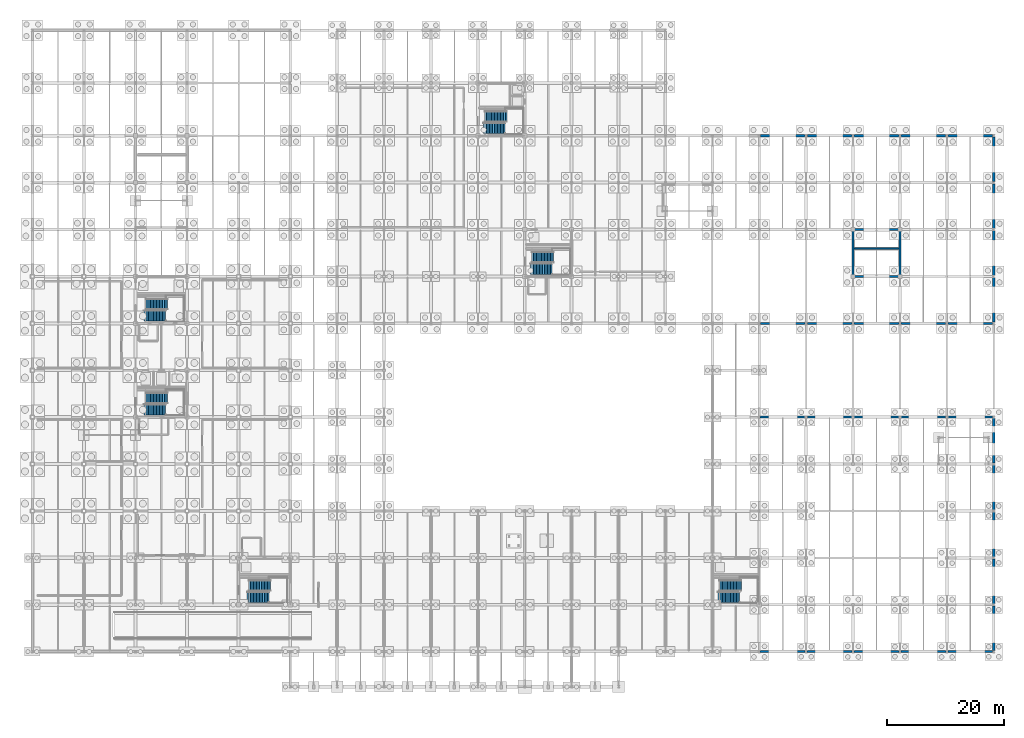
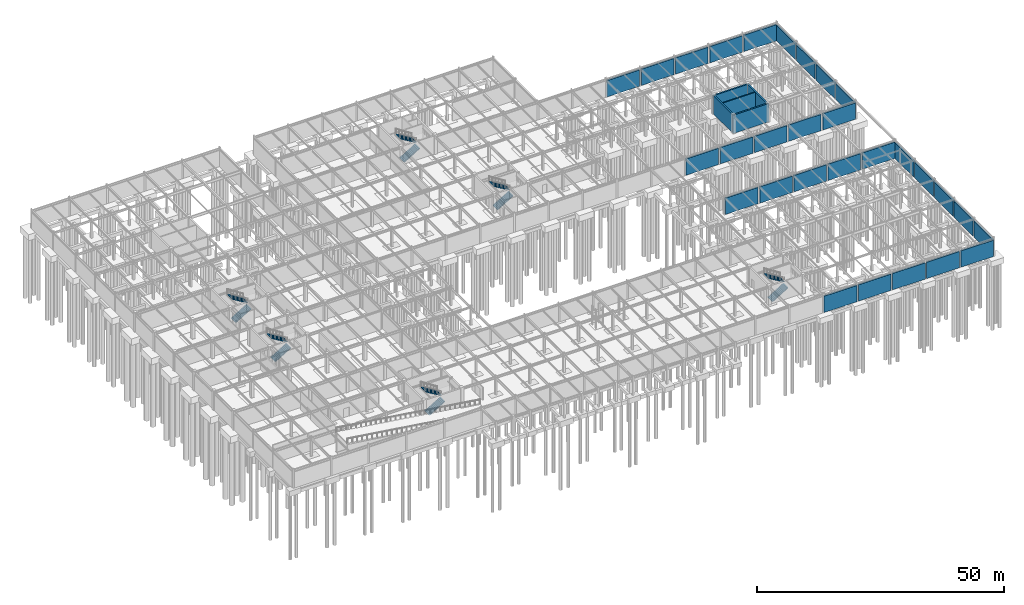
# One storey, part 65 of 72: 34 walls, 12 stair flights, 6 elements without a shape of their own.
"""IFC4 building model written with IfcOpenShell, lengths in metres."""

from ifc_helpers import new_model, si_unit, direction, frame, frame_2d, origin, place, context, subcontext, project, spatial, polyline, rectangle, outline, extrude, material, layer, layer_set, type_object, element, aggregate, save


model = new_model("IFC4")

# Units and contexts
model_context = context("Model", 3, precision=1e-05, world=origin(), true_north=direction((0.0, 1.0)))
body_context = subcontext(model_context, "Body", "Model", "MODEL_VIEW")
ifc_project = project(units=[si_unit("LENGTHUNIT", "METRE"), si_unit("AREAUNIT", "SQUARE_METRE"), si_unit("VOLUMEUNIT", "CUBIC_METRE"), si_unit("PLANEANGLEUNIT", "RADIAN"), si_unit("MASSUNIT", "GRAM", prefix="KILO")], contexts=[model_context])

# Site, building, storey
site_placement = place(None, origin())
site = spatial("IfcSite", under=ifc_project, at=site_placement, CompositionType="ELEMENT")
building_placement = place(site_placement, origin())
building = spatial("IfcBuilding", under=site, at=building_placement, Name="Zhaolan Boulevard Law Courts", CompositionType="ELEMENT")
storey_placement = place(building_placement, frame((0.0, 0.0, -4.800048828125)))
storey = spatial("IfcBuildingStorey", under=building, at=storey_placement, Name="B1", CompositionType="ELEMENT", Elevation=-4.800048828125)

# Walls
ifc_material_1 = material(Name="Concrete C50", Category="concrete")
ifc_layer_1 = layer(ifc_material_1, 0.35009765625)
ifc_layer_set_1 = layer_set([ifc_layer_1])
wall_type_1 = type_object("IfcWallType", Name="CORE SHEAR WALL 350", PredefinedType="SHEAR", material=ifc_layer_set_1)
for number, where, z_axis, x_axis, name in (
    (1, (139.824951171875, 70.0, 0.0), (0.0, 0.0, 1.0), (1.0, 0.0, 0.0), "Core Shear Wall CW-T2-B1S"),
    (2, (148.175048828125, 78.0, 0.0), (0.0, 0.0, 1.0), (-1.0, 0.0, 0.0), "Core Shear Wall CW-T2-B1N"),
):
    element("IfcWall", number, at=place(storey_placement, frame(where, z_axis=z_axis, x_axis=x_axis)), inside=storey, type_object=wall_type_1, Name=name, PredefinedType="SHEAR", context=body_context, shape_type="SweptSolid", body=[
        extrude(rectangle(XDim=8.35009765625, YDim=0.35009765625, at=frame_2d((4.175048828125, 0.0))), origin(), (0.0, 0.0, 1.0), 4.52001953125),
    ])
for number, where, z_axis, x_axis, name in (
    (3, (140.0, 70.175048828125, 0.0), (0.0, 0.0, 1.0), (0.0, 1.0, 0.0), "Core Shear Wall CW-T2-B1W"),
    (4, (148.0, 70.175048828125, 0.0), (0.0, 0.0, 1.0), (0.0, 1.0, 0.0), "Core Shear Wall CW-T2-B1E"),
):
    element("IfcWall", number, at=place(storey_placement, frame(where, z_axis=z_axis, x_axis=x_axis)), inside=storey, type_object=wall_type_1, Name=name, PredefinedType="SHEAR", context=body_context, shape_type="SweptSolid", body=[
        extrude(rectangle(XDim=7.64990234375, YDim=0.35009765625, at=frame_2d((3.824951171875, 0.0))), origin(), (0.0, 0.0, 1.0), 4.52001953125),
    ])
ifc_material_2 = material(Name="Concrete C40", Category="concrete")
ifc_layer_2 = layer(ifc_material_2, 0.360107421875)
ifc_layer_set_2 = layer_set([ifc_layer_2])
wall_type_2 = type_object("IfcWallType", Name="EXT WALL RETAINING360", PredefinedType="USERDEFINED", material=ifc_layer_set_2)
for number, where, z_axis, x_axis, name in (
    (5, (124.1708984375, 6.0, 0.0), (0.0, 0.0, 1.0), (1.0, 0.0, 0.0), "Exterior Wall EW-B1-034"),
    (6, (132.1708984375, 6.0, 0.0), (0.0, 0.0, 1.0), (1.0, 0.0, 0.0), "Exterior Wall EW-B1-035"),
    (7, (140.1708984375, 6.0, 0.0), (0.0, 0.0, 1.0), (1.0, 0.0, 0.0), "Exterior Wall EW-B1-036"),
    (8, (148.1708984375, 6.0, 0.0), (0.0, 0.0, 1.0), (1.0, 0.0, 0.0), "Exterior Wall EW-B1-037"),
    (9, (156.1708984375, 6.0, 0.0), (0.0, 0.0, 1.0), (1.0, 0.0, 0.0), "Exterior Wall EW-B1-038"),
):
    element("IfcWall", number, at=place(storey_placement, frame(where, z_axis=z_axis, x_axis=x_axis)), inside=storey, type_object=wall_type_2, Name=name, ObjectType="RETAININGWALL", PredefinedType="USERDEFINED", context=body_context, shape_type="SweptSolid", body=[
        extrude(rectangle(XDim=7.658203125, YDim=0.360107421875, at=frame_2d((3.8291015625, 0.0))), origin(), (0.0, 0.0, 1.0), 4.04296875),
    ])
wall_1_placement = place(storey_placement, frame((131.803955078125, 46.0, 0.0), z_axis=(0.0, 0.0, 1.0), x_axis=(-1.0, 0.0, 0.0)))
element("IfcWall", 10, at=wall_1_placement, inside=storey, type_object=wall_type_2, Name="Exterior Wall EW-B1-039", ObjectType="RETAININGWALL", PredefinedType="USERDEFINED", context=body_context, shape_type="SweptSolid", body=[
    extrude(rectangle(XDim=7.633056640625, YDim=0.360107421875, at=frame_2d((3.81640625, 0.0))), origin(), (0.0, 0.0, 1.0), 4.04296875),
])
for number, where, z_axis, x_axis, name in (
    (11, (139.803955078125, 46.0, 0.0), (0.0, 0.0, 1.0), (-1.0, 0.0, 0.0), "Exterior Wall EW-B1-040"),
    (12, (147.803955078125, 46.0, 0.0), (0.0, 0.0, 1.0), (-1.0, 0.0, 0.0), "Exterior Wall EW-B1-041"),
    (13, (155.803955078125, 46.0, 0.0), (0.0, 0.0, 1.0), (-1.0, 0.0, 0.0), "Exterior Wall EW-B1-042"),
):
    element("IfcWall", number, at=place(storey_placement, frame(where, z_axis=z_axis, x_axis=x_axis)), inside=storey, type_object=wall_type_2, Name=name, ObjectType="RETAININGWALL", PredefinedType="USERDEFINED", context=body_context, shape_type="SweptSolid", body=[
        extrude(rectangle(XDim=7.60791015625, YDim=0.360107421875, at=frame_2d((3.803955078125, 0.0))), origin(), (0.0, 0.0, 1.0), 4.04296875),
    ])
wall_2_placement = place(storey_placement, frame((163.8291015625, 46.0, 0.0), z_axis=(0.0, 0.0, 1.0), x_axis=(-1.0, 0.0, 0.0)))
element("IfcWall", 14, at=wall_2_placement, inside=storey, type_object=wall_type_2, Name="Exterior Wall EW-B1-043", ObjectType="RETAININGWALL", PredefinedType="USERDEFINED", context=body_context, shape_type="SweptSolid", body=[
    extrude(rectangle(XDim=7.633056640625, YDim=0.360107421875, at=frame_2d((3.81640625, 0.0))), origin(), (0.0, 0.0, 1.0), 4.04296875),
])
for number, where, z_axis, x_axis, name in (
    (15, (164.0, 6.1708984375, 0.0), (0.0, 0.0, 1.0), (0.0, 1.0, 0.0), "Exterior Wall EW-B1-044"),
    (16, (164.0, 14.1708984375, 0.0), (0.0, 0.0, 1.0), (0.0, 1.0, 0.0), "Exterior Wall EW-B1-045"),
    (17, (164.0, 22.1708984375, 0.0), (0.0, 0.0, 1.0), (0.0, 1.0, 0.0), "Exterior Wall EW-B1-046"),
    (18, (164.0, 30.1708984375, 0.0), (0.0, 0.0, 1.0), (0.0, 1.0, 0.0), "Exterior Wall EW-B1-047"),
    (19, (164.0, 38.1708984375, 0.0), (0.0, 0.0, 1.0), (0.0, 1.0, 0.0), "Exterior Wall EW-B1-048"),
):
    element("IfcWall", number, at=place(storey_placement, frame(where, z_axis=z_axis, x_axis=x_axis)), inside=storey, type_object=wall_type_2, Name=name, ObjectType="RETAININGWALL", PredefinedType="USERDEFINED", context=body_context, shape_type="SweptSolid", body=[
        extrude(rectangle(XDim=7.658203125, YDim=0.360107421875, at=frame_2d((3.8291015625, 0.0))), origin(), (0.0, 0.0, 1.0), 3.883056640625),
    ])
for number, where, z_axis, x_axis, name in (
    (20, (124.196044921875, 62.0, 0.0), (0.0, 0.0, 1.0), (1.0, 0.0, 0.0), "Exterior Wall EW-B1-083"),
    (21, (132.196044921875, 62.0, 0.0), (0.0, 0.0, 1.0), (1.0, 0.0, 0.0), "Exterior Wall EW-B1-084"),
    (22, (140.196044921875, 62.0, 0.0), (0.0, 0.0, 1.0), (1.0, 0.0, 0.0), "Exterior Wall EW-B1-085"),
    (23, (148.196044921875, 62.0, 0.0), (0.0, 0.0, 1.0), (1.0, 0.0, 0.0), "Exterior Wall EW-B1-086"),
    (24, (156.196044921875, 62.0, 0.0), (0.0, 0.0, 1.0), (1.0, 0.0, 0.0), "Exterior Wall EW-B1-087"),
    (25, (131.803955078125, 94.0, 0.0), (0.0, 0.0, 1.0), (-1.0, 0.0, 0.0), "Exterior Wall EW-B1-096"),
    (26, (139.803955078125, 94.0, 0.0), (0.0, 0.0, 1.0), (-1.0, 0.0, 0.0), "Exterior Wall EW-B1-097"),
    (27, (147.803955078125, 94.0, 0.0), (0.0, 0.0, 1.0), (-1.0, 0.0, 0.0), "Exterior Wall EW-B1-098"),
    (28, (155.803955078125, 94.0, 0.0), (0.0, 0.0, 1.0), (-1.0, 0.0, 0.0), "Exterior Wall EW-B1-099"),
    (29, (163.803955078125, 94.0, 0.0), (0.0, 0.0, 1.0), (-1.0, 0.0, 0.0), "Exterior Wall EW-B1-100"),
):
    element("IfcWall", number, at=place(storey_placement, frame(where, z_axis=z_axis, x_axis=x_axis)), inside=storey, type_object=wall_type_2, Name=name, ObjectType="RETAININGWALL", PredefinedType="USERDEFINED", context=body_context, shape_type="SweptSolid", body=[
        extrude(rectangle(XDim=7.60791015625, YDim=0.360107421875, at=frame_2d((3.803955078125, 0.0))), origin(), (0.0, 0.0, 1.0), 4.04296875),
    ])
for number, where, z_axis, x_axis, name in (
    (30, (164.0, 62.196044921875, 0.0), (0.0, 0.0, 1.0), (0.0, 1.0, 0.0), "Exterior Wall EW-B1-105"),
    (31, (164.0, 70.196044921875, 0.0), (0.0, 0.0, 1.0), (0.0, 1.0, 0.0), "Exterior Wall EW-B1-106"),
    (32, (164.0, 78.196044921875, 0.0), (0.0, 0.0, 1.0), (0.0, 1.0, 0.0), "Exterior Wall EW-B1-107"),
    (33, (164.0, 86.196044921875, 0.0), (0.0, 0.0, 1.0), (0.0, 1.0, 0.0), "Exterior Wall EW-B1-108"),
):
    element("IfcWall", number, at=place(storey_placement, frame(where, z_axis=z_axis, x_axis=x_axis)), inside=storey, type_object=wall_type_2, Name=name, ObjectType="RETAININGWALL", PredefinedType="USERDEFINED", context=body_context, shape_type="SweptSolid", body=[
        extrude(rectangle(XDim=7.60791015625, YDim=0.360107421875, at=frame_2d((3.803955078125, 0.0))), origin(), (0.0, 0.0, 1.0), 3.883056640625),
    ])
ifc_material_3 = material(Name="Concrete C50", Category="concrete")
ifc_layer_3 = layer(ifc_material_3, 0.239990234375)
ifc_layer_set_3 = layer_set([ifc_layer_3])
wall_type_3 = type_object("IfcWallType", Name="STAIR WELL WALL 240", PredefinedType="SHEAR", material=ifc_layer_set_3)
wall_3_placement = place(storey_placement, frame((140.175048828125, 74.75, 0.0), z_axis=(0.0, 0.0, 1.0), x_axis=(1.0, 0.0, 0.0)))
element("IfcWall", 34, at=wall_3_placement, inside=storey, type_object=wall_type_3, Name="Stairwell Divider Shear Wall ST09-B1N", PredefinedType="SHEAR", context=body_context, shape_type="SweptSolid", body=[
    extrude(rectangle(XDim=7.64990234375, YDim=0.239990234375, at=frame_2d((3.824951171875, 0.0))), origin(), (0.0, 0.0, 1.0), 4.52001953125),
])

# Stair, stair flights
ifc_material_4 = material(Name="Concrete C40", Category="concrete")
stair_type = type_object("IfcStairType", Name="HALF TURN STAIR 48 A", PredefinedType="HALF_TURN_STAIR", material=ifc_material_4)
stair_1_placement = place(storey_placement, origin())
stair_1 = element("IfcStair", 35, at=stair_1_placement, inside=storey, type_object=stair_type, Name="Stair ST01-B1", PredefinedType="HALF_TURN_STAIR")
ifc_material_5 = material(Name="Concrete C40", Category="concrete")
stair_flight_type = type_object("IfcStairFlightType", Name="STAIR FLIGHT 48 A", PredefinedType="STRAIGHT", material=ifc_material_5)
stair_flight_1_placement = place(storey_placement, frame((19.050048828125, 47.304931640625, 0.0), z_axis=(0.0, 0.0, 1.0), x_axis=(1.0, 0.0, 0.0)))
stair_flight_1 = element("IfcStairFlight", 36, at=stair_flight_1_placement, type_object=stair_flight_type, Name="Stair Flight ST01-B1-F1", NumberOfRisers=15, NumberOfTreads=14, PredefinedType="STRAIGHT", RiserHeight=0.16, TreadLength=0.265, context=body_context, shape_type="SweptSolid", body=[
    extrude(outline(polyline([(0.0, 0.0), (0.0, 0.159912109375), (0.264892578125, 0.159912109375), (0.264892578125, 0.320068359375), (0.530029296875, 0.320068359375), (0.530029296875, 0.47998046875), (0.794921875, 0.47998046875), (0.794921875, 0.639892578125), (1.06005859375, 0.639892578125), (1.06005859375, 0.800048828125), (1.324951171875, 0.800048828125), (1.324951171875, 0.9599609375), (1.590087890625, 0.9599609375), (1.590087890625, 1.1201171875), (1.85498046875, 1.1201171875), (1.85498046875, 1.280029296875), (2.1201171875, 1.280029296875), (2.1201171875, 1.43994140625), (2.385009765625, 1.43994140625), (2.385009765625, 1.60009765625), (2.64990234375, 1.60009765625), (2.64990234375, 1.760009765625), (2.9150390625, 1.760009765625), (2.9150390625, 1.919921875), (3.179931640625, 1.919921875), (3.179931640625, 2.080078125), (3.445068359375, 2.080078125), (3.445068359375, 2.239990234375), (3.7099609375, 2.239990234375), (3.7099609375, 2.39990234375), (3.7099609375, 2.05322265625), (0.309326171875, 0.0), (0.0, 0.0)])), frame((0.0, 0.925048828125, 0.0), z_axis=(0.0, -1.0, 0.0), x_axis=(1.0, 0.0, 0.0)), (0.0, 0.0, 1.0), 1.85009765625),
])
stair_flight_2_placement = place(storey_placement, frame((23.044921875, 49.2548828125, 2.400146484375), z_axis=(0.0, 0.0, 1.0), x_axis=(-1.0, 0.0, 0.0)))
stair_flight_2 = element("IfcStairFlight", 37, at=stair_flight_2_placement, type_object=stair_flight_type, Name="Stair Flight ST01-B1-F2", NumberOfRisers=15, NumberOfTreads=14, PredefinedType="STRAIGHT", RiserHeight=0.16, TreadLength=0.265, context=body_context, shape_type="SweptSolid", body=[
    extrude(outline(polyline([(0.0, 0.0), (0.0, 0.159912109375), (0.264892578125, 0.159912109375), (0.264892578125, 0.320068359375), (0.530029296875, 0.320068359375), (0.530029296875, 0.47998046875), (0.794921875, 0.47998046875), (0.794921875, 0.639892578125), (1.06005859375, 0.639892578125), (1.06005859375, 0.800048828125), (1.324951171875, 0.800048828125), (1.324951171875, 0.9599609375), (1.590087890625, 0.9599609375), (1.590087890625, 1.1201171875), (1.85498046875, 1.1201171875), (1.85498046875, 1.280029296875), (2.1201171875, 1.280029296875), (2.1201171875, 1.43994140625), (2.385009765625, 1.43994140625), (2.385009765625, 1.60009765625), (2.64990234375, 1.60009765625), (2.64990234375, 1.760009765625), (2.9150390625, 1.760009765625), (2.9150390625, 1.919921875), (3.179931640625, 1.919921875), (3.179931640625, 2.080078125), (3.445068359375, 2.080078125), (3.445068359375, 2.239990234375), (3.7099609375, 2.239990234375), (3.7099609375, 2.39990234375), (3.7099609375, 2.05322265625), (0.309326171875, 0.0), (0.0, 0.0)])), frame((0.0, 0.925048828125, 0.0), z_axis=(0.0, -1.0, 0.0), x_axis=(1.0, 0.0, 0.0)), (0.0, 0.0, 1.0), 1.85009765625),
])
aggregate(stair_1, [stair_flight_1, stair_flight_2])

stair_2_placement = place(storey_placement, origin())
stair_2 = element("IfcStair", 38, at=stair_2_placement, inside=storey, type_object=stair_type, Name="Stair ST02-B1", PredefinedType="HALF_TURN_STAIR")
stair_flight_3_placement = place(storey_placement, frame((19.050048828125, 63.304931640625, 0.0), z_axis=(0.0, 0.0, 1.0), x_axis=(1.0, 0.0, 0.0)))
stair_flight_3 = element("IfcStairFlight", 39, at=stair_flight_3_placement, type_object=stair_flight_type, Name="Stair Flight ST02-B1-F1", NumberOfRisers=15, NumberOfTreads=14, PredefinedType="STRAIGHT", RiserHeight=0.16, TreadLength=0.265, context=body_context, shape_type="SweptSolid", body=[
    extrude(outline(polyline([(0.0, 0.0), (0.0, 0.159912109375), (0.264892578125, 0.159912109375), (0.264892578125, 0.320068359375), (0.530029296875, 0.320068359375), (0.530029296875, 0.47998046875), (0.794921875, 0.47998046875), (0.794921875, 0.639892578125), (1.06005859375, 0.639892578125), (1.06005859375, 0.800048828125), (1.324951171875, 0.800048828125), (1.324951171875, 0.9599609375), (1.590087890625, 0.9599609375), (1.590087890625, 1.1201171875), (1.85498046875, 1.1201171875), (1.85498046875, 1.280029296875), (2.1201171875, 1.280029296875), (2.1201171875, 1.43994140625), (2.385009765625, 1.43994140625), (2.385009765625, 1.60009765625), (2.64990234375, 1.60009765625), (2.64990234375, 1.760009765625), (2.9150390625, 1.760009765625), (2.9150390625, 1.919921875), (3.179931640625, 1.919921875), (3.179931640625, 2.080078125), (3.445068359375, 2.080078125), (3.445068359375, 2.239990234375), (3.7099609375, 2.239990234375), (3.7099609375, 2.39990234375), (3.7099609375, 2.05322265625), (0.309326171875, 0.0), (0.0, 0.0)])), frame((0.0, 0.925048828125, 0.0), z_axis=(0.0, -1.0, 0.0), x_axis=(1.0, 0.0, 0.0)), (0.0, 0.0, 1.0), 1.85009765625),
])
stair_flight_4_placement = place(storey_placement, frame((23.044921875, 65.2548828125, 2.400146484375), z_axis=(0.0, 0.0, 1.0), x_axis=(-1.0, 0.0, 0.0)))
stair_flight_4 = element("IfcStairFlight", 40, at=stair_flight_4_placement, type_object=stair_flight_type, Name="Stair Flight ST02-B1-F2", NumberOfRisers=15, NumberOfTreads=14, PredefinedType="STRAIGHT", RiserHeight=0.16, TreadLength=0.265, context=body_context, shape_type="SweptSolid", body=[
    extrude(outline(polyline([(0.0, 0.0), (0.0, 0.159912109375), (0.264892578125, 0.159912109375), (0.264892578125, 0.320068359375), (0.530029296875, 0.320068359375), (0.530029296875, 0.47998046875), (0.794921875, 0.47998046875), (0.794921875, 0.639892578125), (1.06005859375, 0.639892578125), (1.06005859375, 0.800048828125), (1.324951171875, 0.800048828125), (1.324951171875, 0.9599609375), (1.590087890625, 0.9599609375), (1.590087890625, 1.1201171875), (1.85498046875, 1.1201171875), (1.85498046875, 1.280029296875), (2.1201171875, 1.280029296875), (2.1201171875, 1.43994140625), (2.385009765625, 1.43994140625), (2.385009765625, 1.60009765625), (2.64990234375, 1.60009765625), (2.64990234375, 1.760009765625), (2.9150390625, 1.760009765625), (2.9150390625, 1.919921875), (3.179931640625, 1.919921875), (3.179931640625, 2.080078125), (3.445068359375, 2.080078125), (3.445068359375, 2.239990234375), (3.7099609375, 2.239990234375), (3.7099609375, 2.39990234375), (3.7099609375, 2.05322265625), (0.309326171875, 0.0), (0.0, 0.0)])), frame((0.0, 0.925048828125, 0.0), z_axis=(0.0, -1.0, 0.0), x_axis=(1.0, 0.0, 0.0)), (0.0, 0.0, 1.0), 1.85009765625),
])
aggregate(stair_2, [stair_flight_3, stair_flight_4])

stair_3_placement = place(storey_placement, origin())
stair_3 = element("IfcStair", 41, at=stair_3_placement, inside=storey, type_object=stair_type, Name="Stair ST04-B1", PredefinedType="HALF_TURN_STAIR")
stair_flight_5_placement = place(storey_placement, frame((36.64990234375, 15.304931640625, 0.0), z_axis=(0.0, 0.0, 1.0), x_axis=(1.0, 0.0, 0.0)))
stair_flight_5 = element("IfcStairFlight", 42, at=stair_flight_5_placement, type_object=stair_flight_type, Name="Stair Flight ST04-B1-F1", NumberOfRisers=15, NumberOfTreads=14, PredefinedType="STRAIGHT", RiserHeight=0.16, TreadLength=0.265, context=body_context, shape_type="SweptSolid", body=[
    extrude(outline(polyline([(0.0, 0.0), (0.0, 0.159912109375), (0.264892578125, 0.159912109375), (0.264892578125, 0.320068359375), (0.530029296875, 0.320068359375), (0.530029296875, 0.47998046875), (0.794921875, 0.47998046875), (0.794921875, 0.639892578125), (1.06005859375, 0.639892578125), (1.06005859375, 0.800048828125), (1.324951171875, 0.800048828125), (1.324951171875, 0.9599609375), (1.590087890625, 0.9599609375), (1.590087890625, 1.1201171875), (1.85498046875, 1.1201171875), (1.85498046875, 1.280029296875), (2.1201171875, 1.280029296875), (2.1201171875, 1.43994140625), (2.385009765625, 1.43994140625), (2.385009765625, 1.60009765625), (2.64990234375, 1.60009765625), (2.64990234375, 1.760009765625), (2.9150390625, 1.760009765625), (2.9150390625, 1.919921875), (3.179931640625, 1.919921875), (3.179931640625, 2.080078125), (3.445068359375, 2.080078125), (3.445068359375, 2.239990234375), (3.7099609375, 2.239990234375), (3.7099609375, 2.39990234375), (3.7099609375, 2.05322265625), (0.309326171875, 0.0), (0.0, 0.0)])), frame((0.0, 0.925048828125, 0.0), z_axis=(0.0, -1.0, 0.0), x_axis=(1.0, 0.0, 0.0)), (0.0, 0.0, 1.0), 1.85009765625),
])
stair_flight_6_placement = place(storey_placement, frame((40.64501953125, 17.2548828125, 2.400146484375), z_axis=(0.0, 0.0, 1.0), x_axis=(-1.0, 0.0, 0.0)))
stair_flight_6 = element("IfcStairFlight", 43, at=stair_flight_6_placement, type_object=stair_flight_type, Name="Stair Flight ST04-B1-F2", NumberOfRisers=15, NumberOfTreads=14, PredefinedType="STRAIGHT", RiserHeight=0.16, TreadLength=0.265, context=body_context, shape_type="SweptSolid", body=[
    extrude(outline(polyline([(0.0, 0.0), (0.0, 0.159912109375), (0.264892578125, 0.159912109375), (0.264892578125, 0.320068359375), (0.530029296875, 0.320068359375), (0.530029296875, 0.47998046875), (0.794921875, 0.47998046875), (0.794921875, 0.639892578125), (1.06005859375, 0.639892578125), (1.06005859375, 0.800048828125), (1.324951171875, 0.800048828125), (1.324951171875, 0.9599609375), (1.590087890625, 0.9599609375), (1.590087890625, 1.1201171875), (1.85498046875, 1.1201171875), (1.85498046875, 1.280029296875), (2.1201171875, 1.280029296875), (2.1201171875, 1.43994140625), (2.385009765625, 1.43994140625), (2.385009765625, 1.60009765625), (2.64990234375, 1.60009765625), (2.64990234375, 1.760009765625), (2.9150390625, 1.760009765625), (2.9150390625, 1.919921875), (3.179931640625, 1.919921875), (3.179931640625, 2.080078125), (3.445068359375, 2.080078125), (3.445068359375, 2.239990234375), (3.7099609375, 2.239990234375), (3.7099609375, 2.39990234375), (3.7099609375, 2.05322265625), (0.309326171875, 0.0), (0.0, 0.0)])), frame((0.0, 0.925048828125, 0.0), z_axis=(0.0, -1.0, 0.0), x_axis=(1.0, 0.0, 0.0)), (0.0, 0.0, 1.0), 1.85009765625),
])
aggregate(stair_3, [stair_flight_5, stair_flight_6])

stair_4_placement = place(storey_placement, origin())
stair_4 = element("IfcStair", 44, at=stair_4_placement, inside=storey, type_object=stair_type, Name="Stair ST05-B1", PredefinedType="HALF_TURN_STAIR")
stair_flight_7_placement = place(storey_placement, frame((116.949951171875, 15.304931640625, 0.0), z_axis=(0.0, 0.0, 1.0), x_axis=(1.0, 0.0, 0.0)))
stair_flight_7 = element("IfcStairFlight", 45, at=stair_flight_7_placement, type_object=stair_flight_type, Name="Stair Flight ST05-B1-F1", NumberOfRisers=15, NumberOfTreads=14, PredefinedType="STRAIGHT", RiserHeight=0.16, TreadLength=0.265, context=body_context, shape_type="SweptSolid", body=[
    extrude(outline(polyline([(0.0, 0.0), (0.0, 0.159912109375), (0.264892578125, 0.159912109375), (0.264892578125, 0.320068359375), (0.530029296875, 0.320068359375), (0.530029296875, 0.47998046875), (0.794921875, 0.47998046875), (0.794921875, 0.639892578125), (1.06005859375, 0.639892578125), (1.06005859375, 0.800048828125), (1.324951171875, 0.800048828125), (1.324951171875, 0.9599609375), (1.590087890625, 0.9599609375), (1.590087890625, 1.1201171875), (1.85498046875, 1.1201171875), (1.85498046875, 1.280029296875), (2.1201171875, 1.280029296875), (2.1201171875, 1.43994140625), (2.385009765625, 1.43994140625), (2.385009765625, 1.60009765625), (2.64990234375, 1.60009765625), (2.64990234375, 1.760009765625), (2.9150390625, 1.760009765625), (2.9150390625, 1.919921875), (3.179931640625, 1.919921875), (3.179931640625, 2.080078125), (3.445068359375, 2.080078125), (3.445068359375, 2.239990234375), (3.7099609375, 2.239990234375), (3.7099609375, 2.39990234375), (3.7099609375, 2.05322265625), (0.309326171875, 0.0), (0.0, 0.0)])), frame((0.0, 0.925048828125, 0.0), z_axis=(0.0, -1.0, 0.0), x_axis=(1.0, 0.0, 0.0)), (0.0, 0.0, 1.0), 1.85009765625),
])
stair_flight_8_placement = place(storey_placement, frame((120.945068359375, 17.2548828125, 2.400146484375), z_axis=(0.0, 0.0, 1.0), x_axis=(-1.0, 0.0, 0.0)))
stair_flight_8 = element("IfcStairFlight", 46, at=stair_flight_8_placement, type_object=stair_flight_type, Name="Stair Flight ST05-B1-F2", NumberOfRisers=15, NumberOfTreads=14, PredefinedType="STRAIGHT", RiserHeight=0.16, TreadLength=0.265, context=body_context, shape_type="SweptSolid", body=[
    extrude(outline(polyline([(0.0, 0.0), (0.0, 0.159912109375), (0.264892578125, 0.159912109375), (0.264892578125, 0.320068359375), (0.530029296875, 0.320068359375), (0.530029296875, 0.47998046875), (0.794921875, 0.47998046875), (0.794921875, 0.639892578125), (1.06005859375, 0.639892578125), (1.06005859375, 0.800048828125), (1.324951171875, 0.800048828125), (1.324951171875, 0.9599609375), (1.590087890625, 0.9599609375), (1.590087890625, 1.1201171875), (1.85498046875, 1.1201171875), (1.85498046875, 1.280029296875), (2.1201171875, 1.280029296875), (2.1201171875, 1.43994140625), (2.385009765625, 1.43994140625), (2.385009765625, 1.60009765625), (2.64990234375, 1.60009765625), (2.64990234375, 1.760009765625), (2.9150390625, 1.760009765625), (2.9150390625, 1.919921875), (3.179931640625, 1.919921875), (3.179931640625, 2.080078125), (3.445068359375, 2.080078125), (3.445068359375, 2.239990234375), (3.7099609375, 2.239990234375), (3.7099609375, 2.39990234375), (3.7099609375, 2.05322265625), (0.309326171875, 0.0), (0.0, 0.0)])), frame((0.0, 0.925048828125, 0.0), z_axis=(0.0, -1.0, 0.0), x_axis=(1.0, 0.0, 0.0)), (0.0, 0.0, 1.0), 1.85009765625),
])
aggregate(stair_4, [stair_flight_7, stair_flight_8])

stair_5_placement = place(storey_placement, origin())
stair_5 = element("IfcStair", 47, at=stair_5_placement, inside=storey, type_object=stair_type, Name="Stair ST08-B1", PredefinedType="HALF_TURN_STAIR")
stair_flight_9_placement = place(storey_placement, frame((84.949951171875, 71.304931640625, 0.0), z_axis=(0.0, 0.0, 1.0), x_axis=(1.0, 0.0, 0.0)))
stair_flight_9 = element("IfcStairFlight", 48, at=stair_flight_9_placement, type_object=stair_flight_type, Name="Stair Flight ST08-B1-F1", NumberOfRisers=15, NumberOfTreads=14, PredefinedType="STRAIGHT", RiserHeight=0.16, TreadLength=0.265, context=body_context, shape_type="SweptSolid", body=[
    extrude(outline(polyline([(0.0, 0.0), (0.0, 0.159912109375), (0.264892578125, 0.159912109375), (0.264892578125, 0.320068359375), (0.530029296875, 0.320068359375), (0.530029296875, 0.47998046875), (0.794921875, 0.47998046875), (0.794921875, 0.639892578125), (1.06005859375, 0.639892578125), (1.06005859375, 0.800048828125), (1.324951171875, 0.800048828125), (1.324951171875, 0.9599609375), (1.590087890625, 0.9599609375), (1.590087890625, 1.1201171875), (1.85498046875, 1.1201171875), (1.85498046875, 1.280029296875), (2.1201171875, 1.280029296875), (2.1201171875, 1.43994140625), (2.385009765625, 1.43994140625), (2.385009765625, 1.60009765625), (2.64990234375, 1.60009765625), (2.64990234375, 1.760009765625), (2.9150390625, 1.760009765625), (2.9150390625, 1.919921875), (3.179931640625, 1.919921875), (3.179931640625, 2.080078125), (3.445068359375, 2.080078125), (3.445068359375, 2.239990234375), (3.7099609375, 2.239990234375), (3.7099609375, 2.39990234375), (3.7099609375, 2.05322265625), (0.309326171875, 0.0), (0.0, 0.0)])), frame((0.0, 0.925048828125, 0.0), z_axis=(0.0, -1.0, 0.0), x_axis=(1.0, 0.0, 0.0)), (0.0, 0.0, 1.0), 1.85009765625),
])
stair_flight_10_placement = place(storey_placement, frame((88.945068359375, 73.2548828125, 2.400146484375), z_axis=(0.0, 0.0, 1.0), x_axis=(-1.0, 0.0, 0.0)))
stair_flight_10 = element("IfcStairFlight", 49, at=stair_flight_10_placement, type_object=stair_flight_type, Name="Stair Flight ST08-B1-F2", NumberOfRisers=15, NumberOfTreads=14, PredefinedType="STRAIGHT", RiserHeight=0.16, TreadLength=0.265, context=body_context, shape_type="SweptSolid", body=[
    extrude(outline(polyline([(0.0, 0.0), (0.0, 0.159912109375), (0.264892578125, 0.159912109375), (0.264892578125, 0.320068359375), (0.530029296875, 0.320068359375), (0.530029296875, 0.47998046875), (0.794921875, 0.47998046875), (0.794921875, 0.639892578125), (1.06005859375, 0.639892578125), (1.06005859375, 0.800048828125), (1.324951171875, 0.800048828125), (1.324951171875, 0.9599609375), (1.590087890625, 0.9599609375), (1.590087890625, 1.1201171875), (1.85498046875, 1.1201171875), (1.85498046875, 1.280029296875), (2.1201171875, 1.280029296875), (2.1201171875, 1.43994140625), (2.385009765625, 1.43994140625), (2.385009765625, 1.60009765625), (2.64990234375, 1.60009765625), (2.64990234375, 1.760009765625), (2.9150390625, 1.760009765625), (2.9150390625, 1.919921875), (3.179931640625, 1.919921875), (3.179931640625, 2.080078125), (3.445068359375, 2.080078125), (3.445068359375, 2.239990234375), (3.7099609375, 2.239990234375), (3.7099609375, 2.39990234375), (3.7099609375, 2.05322265625), (0.309326171875, 0.0), (0.0, 0.0)])), frame((0.0, 0.925048828125, 0.0), z_axis=(0.0, -1.0, 0.0), x_axis=(1.0, 0.0, 0.0)), (0.0, 0.0, 1.0), 1.85009765625),
])
aggregate(stair_5, [stair_flight_9, stair_flight_10])

stair_6_placement = place(storey_placement, origin())
stair_6 = element("IfcStair", 50, at=stair_6_placement, inside=storey, type_object=stair_type, Name="Stair ST11-B1", PredefinedType="HALF_TURN_STAIR")
stair_flight_11_placement = place(storey_placement, frame((76.949951171875, 95.304931640625, 0.0), z_axis=(0.0, 0.0, 1.0), x_axis=(1.0, 0.0, 0.0)))
stair_flight_11 = element("IfcStairFlight", 51, at=stair_flight_11_placement, type_object=stair_flight_type, Name="Stair Flight ST11-B1-F1", NumberOfRisers=15, NumberOfTreads=14, PredefinedType="STRAIGHT", RiserHeight=0.16, TreadLength=0.265, context=body_context, shape_type="SweptSolid", body=[
    extrude(outline(polyline([(0.0, 0.0), (0.0, 0.159912109375), (0.264892578125, 0.159912109375), (0.264892578125, 0.320068359375), (0.530029296875, 0.320068359375), (0.530029296875, 0.47998046875), (0.794921875, 0.47998046875), (0.794921875, 0.639892578125), (1.06005859375, 0.639892578125), (1.06005859375, 0.800048828125), (1.324951171875, 0.800048828125), (1.324951171875, 0.9599609375), (1.590087890625, 0.9599609375), (1.590087890625, 1.1201171875), (1.85498046875, 1.1201171875), (1.85498046875, 1.280029296875), (2.1201171875, 1.280029296875), (2.1201171875, 1.43994140625), (2.385009765625, 1.43994140625), (2.385009765625, 1.60009765625), (2.64990234375, 1.60009765625), (2.64990234375, 1.760009765625), (2.9150390625, 1.760009765625), (2.9150390625, 1.919921875), (3.179931640625, 1.919921875), (3.179931640625, 2.080078125), (3.445068359375, 2.080078125), (3.445068359375, 2.239990234375), (3.7099609375, 2.239990234375), (3.7099609375, 2.39990234375), (3.7099609375, 2.05322265625), (0.309326171875, 0.0), (0.0, 0.0)])), frame((0.0, 0.925048828125, 0.0), z_axis=(0.0, -1.0, 0.0), x_axis=(1.0, 0.0, 0.0)), (0.0, 0.0, 1.0), 1.85009765625),
])
stair_flight_12_placement = place(storey_placement, frame((80.945068359375, 97.2548828125, 2.400146484375), z_axis=(0.0, 0.0, 1.0), x_axis=(-1.0, 0.0, 0.0)))
stair_flight_12 = element("IfcStairFlight", 52, at=stair_flight_12_placement, type_object=stair_flight_type, Name="Stair Flight ST11-B1-F2", NumberOfRisers=15, NumberOfTreads=14, PredefinedType="STRAIGHT", RiserHeight=0.16, TreadLength=0.265, context=body_context, shape_type="SweptSolid", body=[
    extrude(outline(polyline([(0.0, 0.0), (0.0, 0.159912109375), (0.264892578125, 0.159912109375), (0.264892578125, 0.320068359375), (0.530029296875, 0.320068359375), (0.530029296875, 0.47998046875), (0.794921875, 0.47998046875), (0.794921875, 0.639892578125), (1.06005859375, 0.639892578125), (1.06005859375, 0.800048828125), (1.324951171875, 0.800048828125), (1.324951171875, 0.9599609375), (1.590087890625, 0.9599609375), (1.590087890625, 1.1201171875), (1.85498046875, 1.1201171875), (1.85498046875, 1.280029296875), (2.1201171875, 1.280029296875), (2.1201171875, 1.43994140625), (2.385009765625, 1.43994140625), (2.385009765625, 1.60009765625), (2.64990234375, 1.60009765625), (2.64990234375, 1.760009765625), (2.9150390625, 1.760009765625), (2.9150390625, 1.919921875), (3.179931640625, 1.919921875), (3.179931640625, 2.080078125), (3.445068359375, 2.080078125), (3.445068359375, 2.239990234375), (3.7099609375, 2.239990234375), (3.7099609375, 2.39990234375), (3.7099609375, 2.05322265625), (0.309326171875, 0.0), (0.0, 0.0)])), frame((0.0, 0.925048828125, 0.0), z_axis=(0.0, -1.0, 0.0), x_axis=(1.0, 0.0, 0.0)), (0.0, 0.0, 1.0), 1.85009765625),
])
aggregate(stair_6, [stair_flight_11, stair_flight_12])

save(model, "model.ifc")
